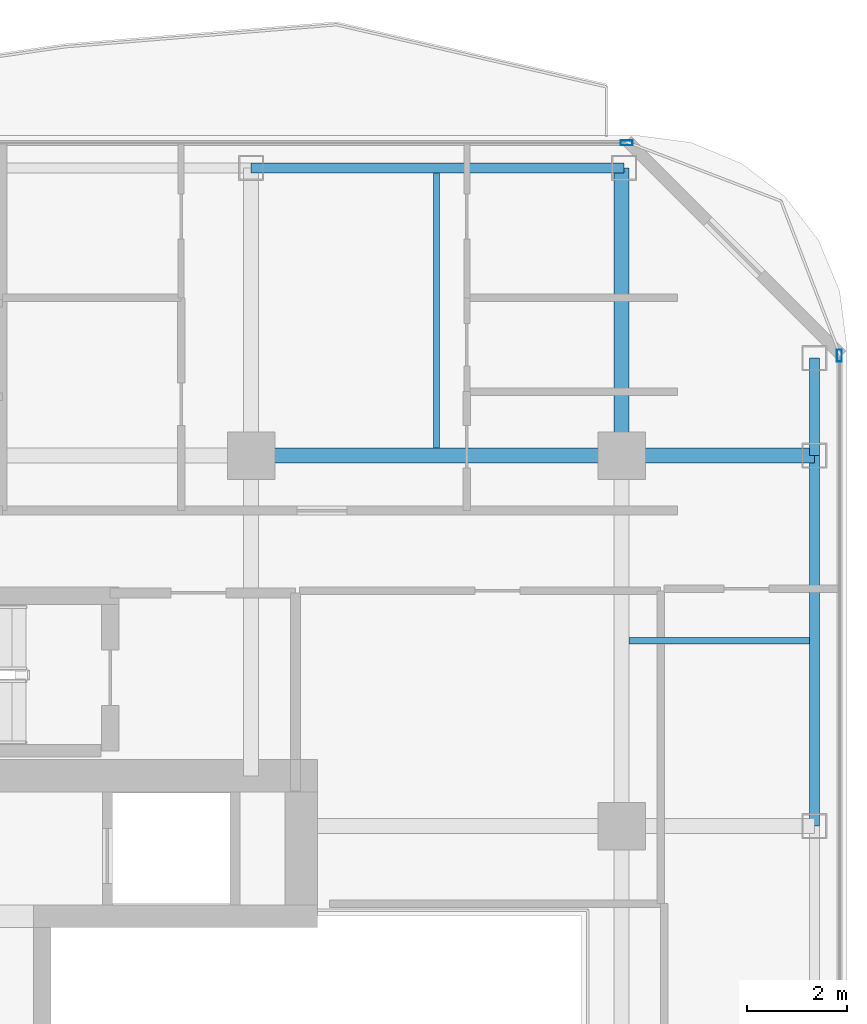
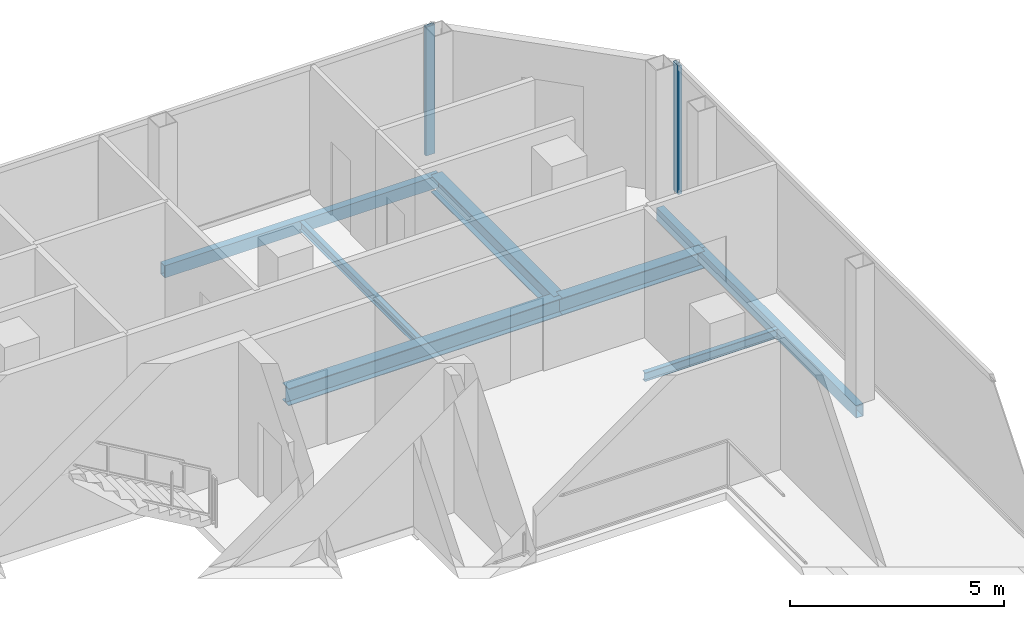
# One storey, part 14 of 23: 8 beams, 2 members, 2 elements without a shape of their own.
"""IFC4 building model written with IfcOpenShell, lengths in metres."""

from ifc_helpers import new_model, si_unit, direction, frame, origin, origin_2d, place, context, subcontext, project, spatial, hollow_rectangle, i_section, extrude, material, layer, layer_set, material_profile, profile_set, type_object, element, aggregate, save


model = new_model("IFC4")

# Units and contexts
model_context = context("Model", 3, precision=1e-05, world=origin(), true_north=direction((0.0, 1.0)))
body_context = subcontext(model_context, "Body", "Model", "MODEL_VIEW")
ifc_project = project(units=[si_unit("LENGTHUNIT", "METRE"), si_unit("AREAUNIT", "SQUARE_METRE"), si_unit("VOLUMEUNIT", "CUBIC_METRE"), si_unit("PLANEANGLEUNIT", "RADIAN"), si_unit("MASSUNIT", "GRAM", prefix="KILO")], contexts=[model_context])

# Site, building, storey
site_placement = place(None, origin())
site = spatial("IfcSite", under=ifc_project, at=site_placement, CompositionType="ELEMENT")
building_placement = place(site_placement, origin())
building = spatial("IfcBuilding", under=site, at=building_placement, Name="Khorvyn Point Tower", CompositionType="ELEMENT")
storey_placement = place(building_placement, frame((0.0, 0.0, 293.699951171875)))
storey = spatial("IfcBuildingStorey", under=building, at=storey_placement, Name="L72", CompositionType="ELEMENT", Elevation=293.699951171875)

# Curtain wall, member
ifc_material_1 = material(Name="Anodised aluminium 6063-T6 and laminated Low-E glass", Category="aluminium")
ifc_layer = layer(ifc_material_1, 0.18994140625)
ifc_layer_set = layer_set([ifc_layer], Name="Stick-Built High-Wind Curtain Wall CW-SYS-04")
curtain_wall_type = type_object("IfcCurtainWallType", Name="Stick-Built High-Wind Curtain Wall CW-SYS-04", PredefinedType="NOTDEFINED", material=ifc_layer_set)
curtain_wall_1_placement = place(storey_placement, origin())
curtain_wall_1 = element("IfcCurtainWall", 1, at=curtain_wall_1_placement, inside=storey, type_object=curtain_wall_type, Name="Curtain Wall", PredefinedType="NOTDEFINED")
ifc_material_2 = material(Name="Anodised aluminium 6063-T6", Category="aluminium")
ifc_material_profile_1 = material_profile(ifc_material_2, hollow_rectangle(XDim=0.10009765625, YDim=0.239990234375, WallThickness=0.0048828125, at=origin_2d()))
ifc_profile_set_1 = profile_set([ifc_material_profile_1], Name="Anodised aluminium 6063-T6 ALU-MUL-100x240")
member_type = type_object("IfcMemberType", Name="Anodised Aluminium 6063-T6 Mullion ALU-MUL-100x240", PredefinedType="MULLION", material=ifc_profile_set_1)
member_1_placement = place(storey_placement, frame((14.89990234375, 21.050048828125, 0.0), z_axis=(0.0, 0.0, 1.0), x_axis=(0.0, 1.0, 0.0)))
member_1 = element("IfcMember", 2, at=member_1_placement, type_object=member_type, Name="Transom", PredefinedType="MULLION", context=body_context, shape_type="SweptSolid", body=[
    extrude(hollow_rectangle(XDim=0.10009765625, YDim=0.239990234375, WallThickness=0.0048828125, at=origin_2d()), origin(), (0.0, 0.0, 1.0), 3.679931640625),
])
aggregate(curtain_wall_1, [member_1])

curtain_wall_2_placement = place(storey_placement, origin())
curtain_wall_2 = element("IfcCurtainWall", 3, at=curtain_wall_2_placement, inside=storey, type_object=curtain_wall_type, Name="Curtain Wall", PredefinedType="NOTDEFINED")
member_2_placement = place(storey_placement, frame((19.14990234375, 16.800048828125, 0.0), z_axis=(0.0, 0.0, 1.0), x_axis=(1.0, 0.0, 0.0)))
member_2 = element("IfcMember", 4, at=member_2_placement, type_object=member_type, Name="Transom", PredefinedType="MULLION", context=body_context, shape_type="SweptSolid", body=[
    extrude(hollow_rectangle(XDim=0.10009765625, YDim=0.239990234375, WallThickness=0.0048828125, at=origin_2d()), origin(), (0.0, 0.0, 1.0), 3.679931640625),
])
aggregate(curtain_wall_2, [member_2])

# Beams
ifc_material_3 = material(Name="Steel S355", Category="steel")
ifc_material_profile_2 = material_profile(ifc_material_3, i_section(OverallWidth=0.125, OverallDepth=0.25, WebThickness=0.006103515625, FlangeThickness=0.009033203125, at=origin_2d()))
ifc_profile_set_2 = profile_set([ifc_material_profile_2], Name="Steel S355 H250x125x6x9")
beam_type_1 = type_object("IfcBeamType", Name="Steel S355 Joist H250x125x6x9", PredefinedType="JOIST", material=ifc_profile_set_2)
beam_1_placement = place(storey_placement, frame((14.949951171875, 11.10009765625, -0.344970703125), z_axis=(1.0, 0.0, 0.0), x_axis=(0.0, 1.0, 0.0)))
element("IfcBeam", 5, at=beam_1_placement, inside=storey, type_object=beam_type_1, Name="Beam", PredefinedType="JOIST", context=body_context, shape_type="SweptSolid", body=[
    extrude(i_section(OverallWidth=0.125, OverallDepth=0.25, WebThickness=0.006103515625, FlangeThickness=0.009033203125, at=origin_2d()), origin(), (0.0, 0.0, 1.0), 3.60009765625),
])
beam_2_placement = place(storey_placement, frame((11.10009765625, 14.949951171875, -0.344970703125), z_axis=(0.0, 1.0, 0.0), x_axis=(-1.0, 0.0, 0.0)))
element("IfcBeam", 6, at=beam_2_placement, inside=storey, type_object=beam_type_1, Name="Beam", PredefinedType="JOIST", context=body_context, shape_type="SweptSolid", body=[
    extrude(i_section(OverallWidth=0.125, OverallDepth=0.25, WebThickness=0.006103515625, FlangeThickness=0.009033203125, at=origin_2d()), origin(), (0.0, 0.0, 1.0), 5.5),
])
ifc_material_profile_3 = material_profile(ifc_material_3, i_section(OverallWidth=0.300048828125, OverallDepth=0.488037109375, WebThickness=0.010986328125, FlangeThickness=0.01806640625, at=origin_2d()))
ifc_profile_set_3 = profile_set([ifc_material_profile_3], Name="Steel S355 H488x300x11x18")
beam_type_2 = type_object("IfcBeamType", Name="Steel S355 Spandrel H488x300x11x18", PredefinedType="SPANDREL", material=ifc_profile_set_3)
beam_3_placement = place(storey_placement, frame((7.39990234375, 14.800048828125, -0.4638671875), z_axis=(1.0, 0.0, 0.0), x_axis=(0.0, 1.0, 0.0)))
element("IfcBeam", 7, at=beam_3_placement, inside=storey, type_object=beam_type_2, Name="Beam", PredefinedType="SPANDREL", context=body_context, shape_type="SweptSolid", body=[
    extrude(i_section(OverallWidth=0.300048828125, OverallDepth=0.488037109375, WebThickness=0.010986328125, FlangeThickness=0.01806640625, at=origin_2d()), origin(), (0.0, 0.0, 1.0), 7.400146484375),
])
beam_4_placement = place(storey_placement, frame((14.800048828125, 14.800048828125, -0.4638671875), z_axis=(1.0, 0.0, 0.0), x_axis=(0.0, 1.0, 0.0)))
element("IfcBeam", 8, at=beam_4_placement, inside=storey, type_object=beam_type_2, Name="Beam", PredefinedType="SPANDREL", context=body_context, shape_type="SweptSolid", body=[
    extrude(i_section(OverallWidth=0.300048828125, OverallDepth=0.488037109375, WebThickness=0.010986328125, FlangeThickness=0.01806640625, at=origin_2d()), origin(), (0.0, 0.0, 1.0), 3.849853515625),
])
beam_5_placement = place(storey_placement, frame((14.800048828125, 14.800048828125, -0.4638671875), z_axis=(0.0, 1.0, 0.0), x_axis=(-1.0, 0.0, 0.0)))
element("IfcBeam", 9, at=beam_5_placement, inside=storey, type_object=beam_type_2, Name="Beam", PredefinedType="SPANDREL", context=body_context, shape_type="SweptSolid", body=[
    extrude(i_section(OverallWidth=0.300048828125, OverallDepth=0.488037109375, WebThickness=0.010986328125, FlangeThickness=0.01806640625, at=origin_2d()), origin(), (0.0, 0.0, 1.0), 5.75),
])
ifc_material_profile_4 = material_profile(ifc_material_3, hollow_rectangle(XDim=0.199951171875, YDim=0.35009765625, WallThickness=0.013916015625, at=origin_2d()))
ifc_profile_set_4 = profile_set([ifc_material_profile_4], Name="Steel S355 RHS350x200x14")
beam_type_3 = type_object("IfcBeamType", Name="Steel S355 Spandrel RHS350x200x14", PredefinedType="SPANDREL", material=ifc_profile_set_4)
beam_6_placement = place(storey_placement, frame((7.39990234375, 20.550048828125, -0.39501953125), z_axis=(1.0, 0.0, 0.0), x_axis=(0.0, 1.0, 0.0)))
element("IfcBeam", 10, at=beam_6_placement, inside=storey, type_object=beam_type_3, Name="Beam", PredefinedType="SPANDREL", context=body_context, shape_type="SweptSolid", body=[
    extrude(hollow_rectangle(XDim=0.199951171875, YDim=0.35009765625, WallThickness=0.013916015625, at=origin_2d()), origin(), (0.0, 0.0, 1.0), 7.4501953125),
])
beam_7_placement = place(storey_placement, frame((18.64990234375, 7.39990234375, -0.39501953125), z_axis=(0.0, 1.0, 0.0), x_axis=(-1.0, 0.0, 0.0)))
element("IfcBeam", 11, at=beam_7_placement, inside=storey, type_object=beam_type_3, Name="Beam", PredefinedType="SPANDREL", context=body_context, shape_type="SweptSolid", body=[
    extrude(hollow_rectangle(XDim=0.199951171875, YDim=0.35009765625, WallThickness=0.013916015625, at=origin_2d()), origin(), (0.0, 0.0, 1.0), 7.400146484375),
])
beam_8_placement = place(storey_placement, frame((18.64990234375, 14.800048828125, -0.39501953125), z_axis=(0.0, 1.0, 0.0), x_axis=(-1.0, 0.0, 0.0)))
element("IfcBeam", 12, at=beam_8_placement, inside=storey, type_object=beam_type_3, Name="Beam", PredefinedType="SPANDREL", context=body_context, shape_type="SweptSolid", body=[
    extrude(hollow_rectangle(XDim=0.199951171875, YDim=0.35009765625, WallThickness=0.013916015625, at=origin_2d()), origin(), (0.0, 0.0, 1.0), 1.949951171875),
])

save(model, "model.ifc")
